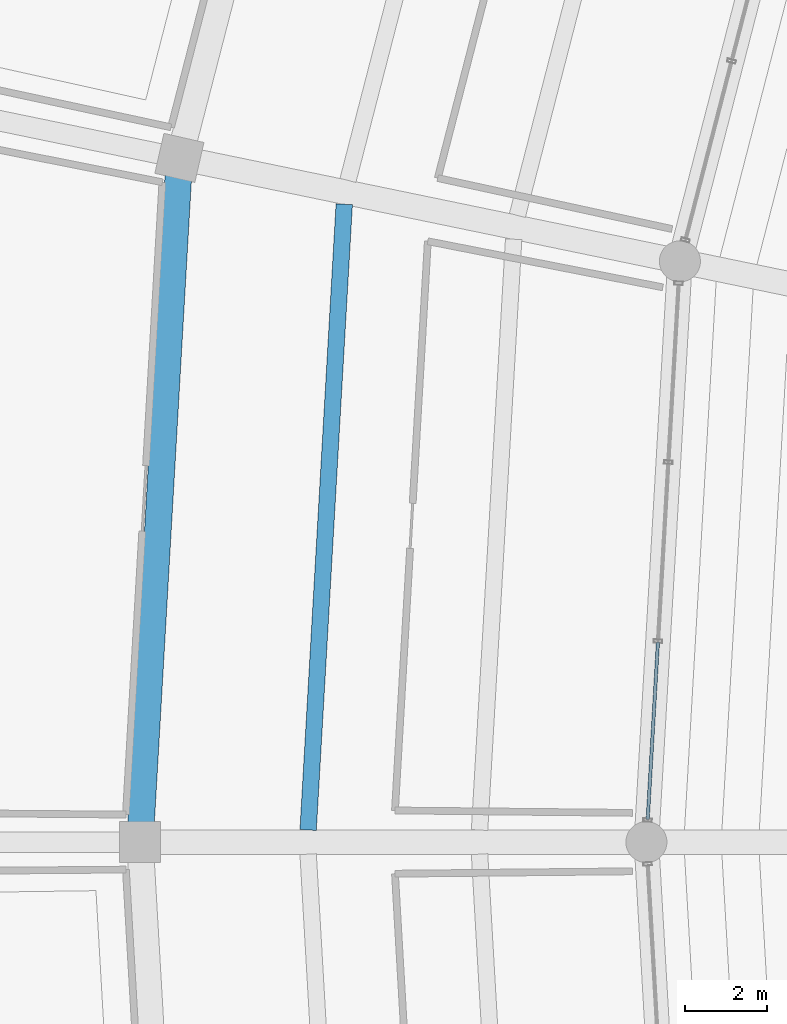
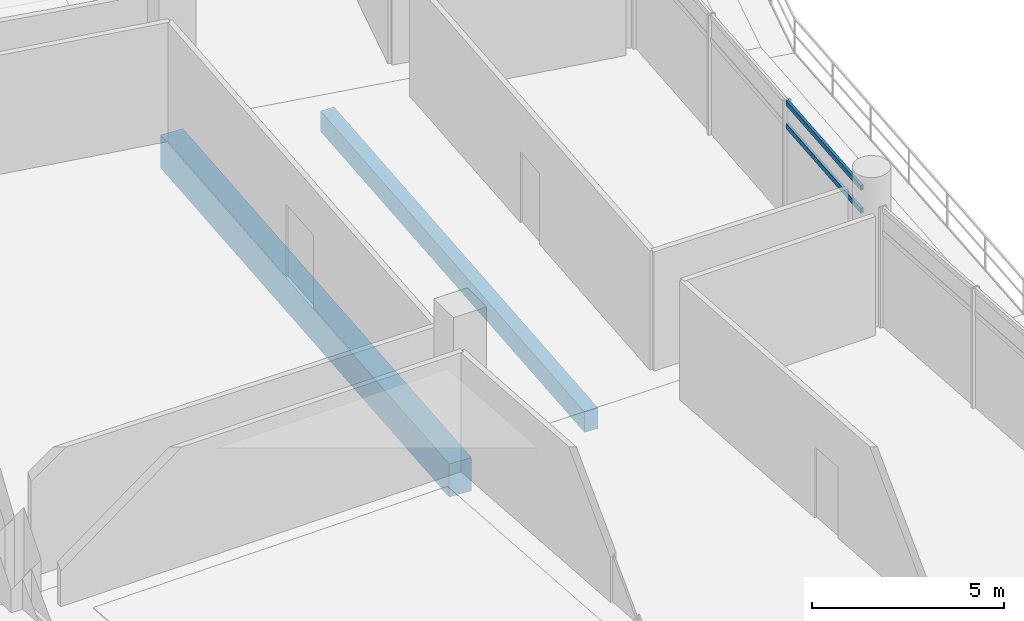
# One storey, part 37 of 171: 2 beams, 2 members, 1 element without a shape of its own.
"""IFC4 building model written with IfcOpenShell, lengths in metres."""

from ifc_helpers import new_model, si_unit, direction, frame, origin, origin_2d, place, context, subcontext, project, spatial, rectangle, hollow_rectangle, extrude, material, layer, layer_set, material_profile, profile_set, type_object, element, aggregate, save


model = new_model("IFC4")

# Units and contexts
model_context = context("Model", 3, precision=1e-05, world=origin(), true_north=direction((0.0, 1.0)))
body_context = subcontext(model_context, "Body", "Model", "MODEL_VIEW")
ifc_project = project(units=[si_unit("LENGTHUNIT", "METRE"), si_unit("AREAUNIT", "SQUARE_METRE"), si_unit("VOLUMEUNIT", "CUBIC_METRE"), si_unit("PLANEANGLEUNIT", "RADIAN"), si_unit("MASSUNIT", "GRAM", prefix="KILO")], contexts=[model_context])

# Site, building, storey
site_placement = place(None, origin())
site = spatial("IfcSite", under=ifc_project, at=site_placement, CompositionType="ELEMENT")
building_placement = place(site_placement, origin())
building = spatial("IfcBuilding", under=site, at=building_placement, Name="Kazemori Nagisa Stadium", CompositionType="ELEMENT")
storey_placement = place(building_placement, frame((0.0, 0.0, 15.639892578125)))
storey = spatial("IfcBuildingStorey", under=building, at=storey_placement, Name="L03", CompositionType="ELEMENT", Elevation=15.639892578125)

# Beams
ifc_material_1 = material(Name="Concrete C40/50 (Fc42)", Category="concrete")
ifc_material_profile_1 = material_profile(ifc_material_1, rectangle(XDim=0.64990234375, YDim=1.050048828125, at=origin_2d()), Name="RC-BM-650x1050")
ifc_profile_set_1 = profile_set([ifc_material_profile_1], Name="Concrete C40/50 (Fc42)")
beam_type_1 = type_object("IfcBeamType", Name="Beam_BG-RC650X1050", PredefinedType="BEAM", material=ifc_profile_set_1)
beam_1_placement = place(storey_placement, frame((42.262451171875, 118.68212890625, -0.784912109375), z_axis=(-0.057594854854, -0.998340038611, 0.0), x_axis=(0.998340038611, -0.057594854854, 0.0)))
element("IfcBeam", 1, at=beam_1_placement, inside=storey, type_object=beam_type_1, Name="Ring girder BG-RC650X1050 L03 R2-14", PredefinedType="BEAM", context=body_context, shape_type="SweptSolid", body=[
    extrude(rectangle(XDim=0.64990234375, YDim=1.050048828125, at=origin_2d()), origin(), (0.0, 0.0, 1.0), 16.7099609375),
])
ifc_material_profile_2 = material_profile(ifc_material_1, rectangle(XDim=0.39990234375, YDim=0.64990234375, at=origin_2d()), Name="RC-BM-400x650")
ifc_profile_set_2 = profile_set([ifc_material_profile_2], Name="Concrete C40/50 (Fc42)")
beam_type_2 = type_object("IfcBeamType", Name="Beam_BJ-RC400X650", PredefinedType="JOIST", material=ifc_profile_set_2)
beam_2_placement = place(storey_placement, frame((46.282470703125, 117.553466796875, -0.5849609375), z_axis=(-0.057599290514, -0.998339782705, 0.0), x_axis=(0.998339782705, -0.057599290514, 0.0)))
element("IfcBeam", 2, at=beam_2_placement, inside=storey, type_object=beam_type_2, Name="Concourse joist BJ-RC400X650 L03 B14-2", PredefinedType="JOIST", context=body_context, shape_type="SweptSolid", body=[
    extrude(rectangle(XDim=0.39990234375, YDim=0.64990234375, at=origin_2d()), origin(), (0.0, 0.0, 1.0), 15.284423828125),
])

# Curtain wall, members
ifc_material_2 = material(Name="Anodised aluminium 6063-T5", Category="aluminium")
ifc_layer = layer(ifc_material_2, 0.2099609375, Name="Anodised aluminium 6063-T5", Category="aluminium")
ifc_layer_set = layer_set([ifc_layer], Name="Anodised aluminium 6063-T5")
curtain_wall_type = type_object("IfcCurtainWallType", Name="CW_L03B_66", PredefinedType="USERDEFINED", material=ifc_layer_set)
curtain_wall_placement = place(storey_placement, origin())
curtain_wall = element("IfcCurtainWall", 3, at=curtain_wall_placement, inside=storey, type_object=curtain_wall_type, Name="Unitised curtain wall CW-L03B-66 L03", ObjectType="UNITISED CURTAIN WALL", PredefinedType="USERDEFINED")
ifc_material_3 = material(Name="Aluminium 6063-T5 anodised", Category="aluminium")
ifc_material_profile_3 = material_profile(ifc_material_3, hollow_rectangle(XDim=0.080078125, YDim=0.159912109375, WallThickness=0.00390625, at=origin_2d()), Name="ALU-TRAN-80x160x4")
ifc_profile_set_3 = profile_set([ifc_material_profile_3], Name="Aluminium 6063-T5 anodised")
member_type = type_object("IfcMemberType", Name="Transom_T02", PredefinedType="USERDEFINED", material=ifc_profile_set_3)
member_1_placement = place(storey_placement, frame((53.931396484375, 106.878173828125, 3.010009765625), z_axis=(-0.057608419603, -0.99833925596, 0.0), x_axis=(0.99833925596, -0.057608419603, 0.0)))
member_1 = element("IfcMember", 4, at=member_1_placement, type_object=member_type, Name="Curtain wall transom CW-L03B-66-T3-mid", ObjectType="TRANSOM", PredefinedType="USERDEFINED", context=body_context, shape_type="SweptSolid", body=[
    extrude(hollow_rectangle(XDim=0.080078125, YDim=0.159912109375, WallThickness=0.00390625, at=origin_2d()), origin(), (0.0, 0.0, 1.0), 4.3310546875),
])
member_2_placement = place(storey_placement, frame((53.931396484375, 106.878173828125, 3.739990234375), z_axis=(-0.057608419603, -0.99833925596, 0.0), x_axis=(0.99833925596, -0.057608419603, 0.0)))
member_2 = element("IfcMember", 5, at=member_2_placement, type_object=member_type, Name="Curtain wall transom CW-L03B-66-T3-head", ObjectType="TRANSOM", PredefinedType="USERDEFINED", context=body_context, shape_type="SweptSolid", body=[
    extrude(hollow_rectangle(XDim=0.080078125, YDim=0.159912109375, WallThickness=0.00390625, at=origin_2d()), origin(), (0.0, 0.0, 1.0), 4.3310546875),
])
aggregate(curtain_wall, [member_1, member_2])

save(model, "model.ifc")
